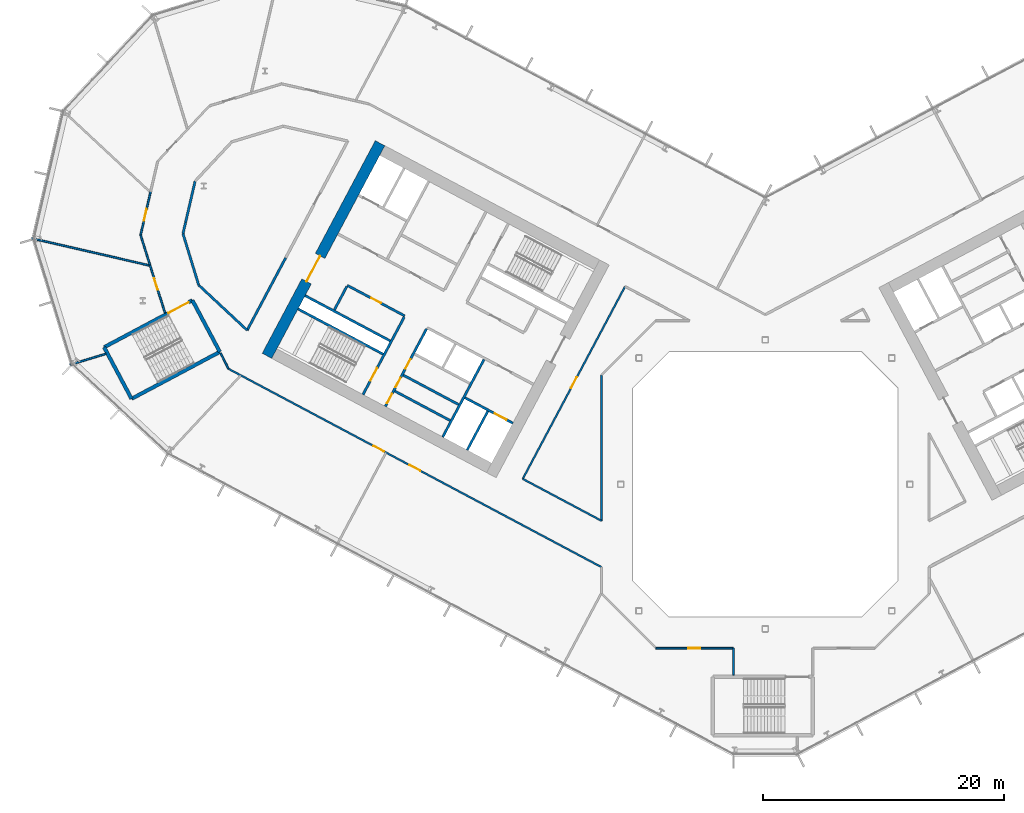
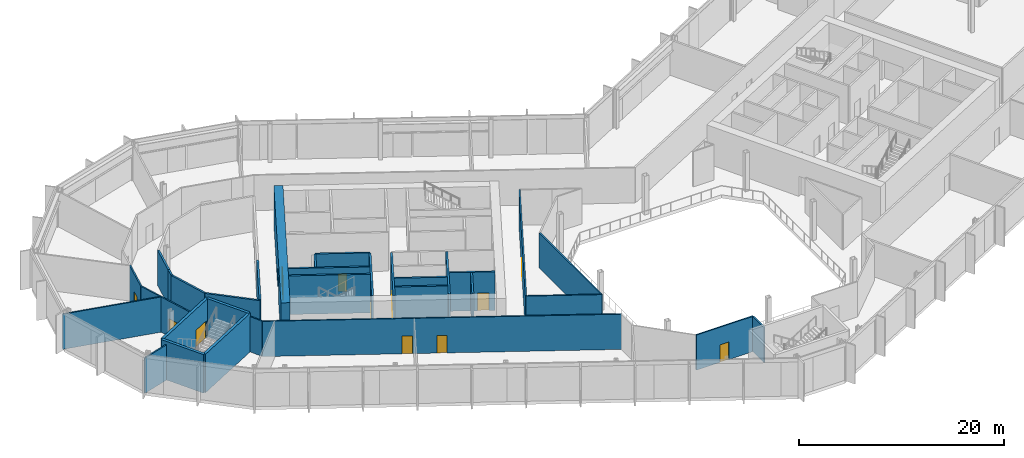
# One storey, part 14 of 30: 33 walls, 14 doors, 14 openings.
"""IFC4 building model written with IfcOpenShell, lengths in metres."""

from ifc_helpers import new_model, si_unit, direction, frame, frame_2d, origin, place, context, subcontext, project, spatial, rectangle, extrude, material, layer, layer_set, type_object, element, fill, save


model = new_model("IFC4")

# Units and contexts
model_context = context("Model", 3, precision=1e-05, world=origin(), true_north=direction((0.0, 1.0)))
body_context = subcontext(model_context, "Body", "Model", "MODEL_VIEW")
ifc_project = project(units=[si_unit("LENGTHUNIT", "METRE"), si_unit("AREAUNIT", "SQUARE_METRE"), si_unit("VOLUMEUNIT", "CUBIC_METRE"), si_unit("PLANEANGLEUNIT", "RADIAN"), si_unit("MASSUNIT", "GRAM", prefix="KILO")], contexts=[model_context])

# Site, building, storey
site_placement = place(None, origin())
site = spatial("IfcSite", under=ifc_project, at=site_placement, CompositionType="ELEMENT")
building_placement = place(site_placement, origin())
building = spatial("IfcBuilding", under=site, at=building_placement, Name="Cormorant Relay Tower", CompositionType="ELEMENT")
storey_placement = place(building_placement, frame((0.0, 0.0, 80.0)))
storey = spatial("IfcBuildingStorey", under=building, at=storey_placement, Name="L15", CompositionType="ELEMENT", Elevation=80.0)

# Walls
ifc_material_1 = material(Name="Concrete 40 MPa", Category="concrete")
ifc_layer_1 = layer(ifc_material_1, 0.199951171875)
ifc_layer_set_1 = layer_set([ifc_layer_1], Name="Core internal wall 200")
wall_type_1 = type_object("IfcWallType", Name="Core internal wall 200", PredefinedType="SOLIDWALL", material=ifc_layer_set_1)
for number, where, z_axis, x_axis, name in (
    (1, (-25.46728515625, 6.632568359375, 0.0), (0.0, 0.0, 1.0), (-0.882953967957, 0.469459572775, 0.0), "L15 core A shaft and room wall"),
    (2, (-26.17138671875, 5.30810546875, 0.0), (0.0, 0.0, 1.0), (-0.882953967957, 0.469459572775, 0.0), "L15 core A shaft and room wall"),
):
    element("IfcWall", number, at=place(storey_placement, frame(where, z_axis=z_axis, x_axis=x_axis)), inside=storey, type_object=wall_type_1, Name=name, PredefinedType="SOLIDWALL", context=body_context, shape_type="SweptSolid", body=[
        extrude(rectangle(XDim=5.199951171875, YDim=0.199951171875, at=frame_2d((2.60009765625, 0.0))), origin(), (0.0, 0.0, 1.0), 4.60009765625),
    ])
ifc_material_2 = material(Name="Concrete 50 MPa", Category="concrete")
ifc_layer_2 = layer(ifc_material_2, 0.199951171875)
ifc_layer_set_2 = layer_set([ifc_layer_2], Name="Core shaft wall 200")
wall_type_2 = type_object("IfcWallType", Name="Core shaft wall 200", PredefinedType="SHEAR", material=ifc_layer_set_2)
wall_1_placement = place(storey_placement, frame((-23.04296875, 6.07958984375, 0.0), z_axis=(0.0, 0.0, 1.0), x_axis=(-0.469494272526, -0.882935517501, 0.0)))
element("IfcWall", 3, at=wall_1_placement, inside=storey, type_object=wall_type_2, Name="L15 core A shaft wall", PredefinedType="SHEAR", context=body_context, shape_type="SweptSolid", body=[
    extrude(rectangle(XDim=3.64990234375, YDim=0.199951171875, at=frame_2d((1.824951171875, 0.0))), origin(), (0.0, 0.0, 1.0), 4.60009765625),
])
wall_2_placement = place(storey_placement, frame((-23.360107421875, 10.38232421875, 0.0), z_axis=(0.0, 0.0, 1.0), x_axis=(-0.469480409012, -0.88294288918, 0.0)))
element("IfcWall", 4, at=wall_2_placement, inside=storey, type_object=wall_type_2, Name="L15 core A shaft wall", PredefinedType="SHEAR", context=body_context, shape_type="SweptSolid", body=[
    extrude(rectangle(XDim=7.300048828125, YDim=0.199951171875, at=frame_2d((3.64990234375, 0.0))), origin(), (0.0, 0.0, 1.0), 4.60009765625),
])

# Wall, openings, doors
wall_3_placement = place(storey_placement, frame((-28.128173828125, 12.91748046875, 0.0), z_axis=(0.0, 0.0, 1.0), x_axis=(-0.469454336211, -0.882956752176, 0.0)))
wall_3 = element("IfcWall", 5, at=wall_3_placement, inside=storey, type_object=wall_type_2, Name="L15 core A shaft wall", PredefinedType="SHEAR", context=body_context, shape_type="SweptSolid", body=[
    extrude(rectangle(XDim=7.300048828125, YDim=0.199951171875, at=frame_2d((3.64990234375, 0.0))), origin(), (0.0, 0.0, 1.0), 4.60009765625),
])
opening_1_placement = place(wall_3_placement, frame((2.85009765625, 0.0, 0.0)))
opening_1 = element("IfcOpeningElement", 6, at=opening_1_placement, cuts=wall_3, Name="Opening CDD-129", PredefinedType="OPENING", context=body_context, shape_type="SweptSolid", body=[
    extrude(rectangle(XDim=0.89990234375, YDim=2.10009765625, at=frame_2d((0.449951171875, 1.050048828125))), frame((0.0, 0.10986328125, 0.0), z_axis=(0.0, -1.0, 0.0), x_axis=(1.0, 0.0, 0.0)), (0.0, 0.0, 1.0), 0.219970703125),
])
opening_2_placement = place(wall_3_placement, frame((4.60009765625, 0.0, 0.0)))
opening_2 = element("IfcOpeningElement", 7, at=opening_2_placement, cuts=wall_3, Name="Opening CDD-130", PredefinedType="OPENING", context=body_context, shape_type="SweptSolid", body=[
    extrude(rectangle(XDim=0.89990234375, YDim=2.10009765625, at=frame_2d((0.449951171875, 1.050048828125))), frame((0.0, 0.10986328125, 0.0), z_axis=(0.0, -1.0, 0.0), x_axis=(1.0, 0.0, 0.0)), (0.0, 0.0, 1.0), 0.219970703125),
])
opening_3_placement = place(wall_3_placement, frame((6.10009765625, 0.0, 0.0)))
opening_3 = element("IfcOpeningElement", 8, at=opening_3_placement, cuts=wall_3, Name="Opening CDD-131", PredefinedType="OPENING", context=body_context, shape_type="SweptSolid", body=[
    extrude(rectangle(XDim=0.89990234375, YDim=2.10009765625, at=frame_2d((0.449951171875, 1.050048828125))), frame((0.0, 0.10986328125, 0.0), z_axis=(0.0, -1.0, 0.0), x_axis=(1.0, 0.0, 0.0)), (0.0, 0.0, 1.0), 0.219970703125),
])
ifc_material_3 = material(Name="Steel fire door", Category="steel")
door_type_1 = type_object("IfcDoorType", Name="Core room door 900x2100", OperationType="SINGLE_SWING_LEFT", PredefinedType="DOOR", material=ifc_material_3)
door_1_placement = place(opening_1_placement, origin())
door_1 = element("IfcDoor", 9, at=door_1_placement, inside=storey, type_object=door_type_1, Name="Core room door 900x2100", OperationType="SINGLE_SWING_LEFT", OverallHeight=2.10009765625, OverallWidth=0.89990234375, PredefinedType="DOOR", context=body_context, shape_type="SweptSolid", body=[
    extrude(rectangle(XDim=0.89990234375, YDim=2.10009765625, at=frame_2d((0.449951171875, 1.050048828125))), frame((0.0, 0.02490234375, 0.0), z_axis=(0.0, -1.0, 0.0), x_axis=(1.0, 0.0, 0.0)), (0.0, 0.0, 1.0), 0.050048828125),
])
fill(opening_1, door_1)
door_2_placement = place(opening_2_placement, origin())
door_2 = element("IfcDoor", 10, at=door_2_placement, inside=storey, type_object=door_type_1, Name="Core room door 900x2100", OperationType="SINGLE_SWING_LEFT", OverallHeight=2.10009765625, OverallWidth=0.89990234375, PredefinedType="DOOR", context=body_context, shape_type="SweptSolid", body=[
    extrude(rectangle(XDim=0.89990234375, YDim=2.10009765625, at=frame_2d((0.449951171875, 1.050048828125))), frame((0.0, 0.02490234375, 0.0), z_axis=(0.0, -1.0, 0.0), x_axis=(1.0, 0.0, 0.0)), (0.0, 0.0, 1.0), 0.050048828125),
])
fill(opening_2, door_2)
door_3_placement = place(opening_3_placement, origin())
door_3 = element("IfcDoor", 11, at=door_3_placement, inside=storey, type_object=door_type_1, Name="Core room door 900x2100", OperationType="SINGLE_SWING_LEFT", OverallHeight=2.10009765625, OverallWidth=0.89990234375, PredefinedType="DOOR", context=body_context, shape_type="SweptSolid", body=[
    extrude(rectangle(XDim=0.89990234375, YDim=2.10009765625, at=frame_2d((0.449951171875, 1.050048828125))), frame((0.0, 0.02490234375, 0.0), z_axis=(0.0, -1.0, 0.0), x_axis=(1.0, 0.0, 0.0)), (0.0, 0.0, 1.0), 0.050048828125),
])
fill(opening_3, door_3)

# Wall, opening, door
wall_4_placement = place(storey_placement, frame((-29.982421875, 13.9033203125, 0.0), z_axis=(0.0, 0.0, 1.0), x_axis=(-0.469454336211, -0.882956752176, 0.0)))
wall_4 = element("IfcWall", 12, at=wall_4_placement, inside=storey, type_object=wall_type_2, Name="L15 core A shaft wall", PredefinedType="SHEAR", context=body_context, shape_type="SweptSolid", body=[
    extrude(rectangle(XDim=7.300048828125, YDim=0.199951171875, at=frame_2d((3.64990234375, 0.0))), origin(), (0.0, 0.0, 1.0), 4.60009765625),
])
opening_4_placement = place(wall_4_placement, frame((4.800048828125, 0.0, 0.0)))
opening_4 = element("IfcOpeningElement", 13, at=opening_4_placement, cuts=wall_4, Name="Opening CDB-025", PredefinedType="OPENING", context=body_context, shape_type="SweptSolid", body=[
    extrude(rectangle(XDim=1.199951171875, YDim=2.10009765625, at=frame_2d((0.60009765625, 1.050048828125))), frame((0.0, 0.10986328125, 0.0), z_axis=(0.0, -1.0, 0.0), x_axis=(1.0, 0.0, 0.0)), (0.0, 0.0, 1.0), 0.219970703125),
])
ifc_material_4 = material(Name="Steel fire door", Category="steel")
door_type_2 = type_object("IfcDoorType", Name="Core stair door 1200x2100", OperationType="SINGLE_SWING_LEFT", PredefinedType="DOOR", material=ifc_material_4)
door_4_placement = place(opening_4_placement, frame((1.199951171875, 0.0, 0.0), z_axis=(0.0, 0.0, 1.0), x_axis=(-1.0, 0.0, 0.0)))
door_4 = element("IfcDoor", 14, at=door_4_placement, inside=storey, type_object=door_type_2, Name="Core stair door 1200x2100", OperationType="SINGLE_SWING_RIGHT", OverallHeight=2.10009765625, OverallWidth=1.199951171875, PredefinedType="DOOR", context=body_context, shape_type="SweptSolid", body=[
    extrude(rectangle(XDim=1.199951171875, YDim=2.10009765625, at=frame_2d((0.60009765625, 1.050048828125))), frame((0.0, 0.02490234375, 0.0), z_axis=(0.0, -1.0, 0.0), x_axis=(1.0, 0.0, 0.0)), (0.0, 0.0, 1.0), 0.050048828125),
])
fill(opening_4, door_4)

# Wall
wall_5_placement = place(storey_placement, frame((-34.750244140625, 16.4384765625, 0.0), z_axis=(0.0, 0.0, 1.0), x_axis=(-0.469401318492, -0.882984938828, 0.0)))
element("IfcWall", 15, at=wall_5_placement, inside=storey, type_object=wall_type_2, Name="L15 core A shaft wall", PredefinedType="SHEAR", context=body_context, shape_type="SweptSolid", body=[
    extrude(rectangle(XDim=2.199951171875, YDim=0.199951171875, at=frame_2d((1.10009765625, 0.0))), origin(), (0.0, 0.0, 1.0), 4.60009765625),
])

# Wall, opening, door
wall_6_placement = place(storey_placement, frame((-29.935302734375, 13.991455078125, 0.0), z_axis=(0.0, 0.0, 1.0), x_axis=(-0.882952937579, 0.469461510692, 0.0)))
wall_6 = element("IfcWall", 16, at=wall_6_placement, inside=storey, type_object=wall_type_2, Name="L15 core A shaft wall", PredefinedType="SHEAR", context=body_context, shape_type="SweptSolid", body=[
    extrude(rectangle(XDim=5.400146484375, YDim=0.199951171875, at=frame_2d((2.7001953125, 0.0))), origin(), (0.0, 0.0, 1.0), 4.60009765625),
])
opening_5_placement = place(wall_6_placement, frame((2.25, 0.0, 0.0)))
opening_5 = element("IfcOpeningElement", 17, at=opening_5_placement, cuts=wall_6, Name="Opening CDD-126", PredefinedType="OPENING", context=body_context, shape_type="SweptSolid", body=[
    extrude(rectangle(XDim=0.89990234375, YDim=2.10009765625, at=frame_2d((0.449951171875, 1.050048828125))), frame((0.0, 0.10986328125, 0.0), z_axis=(0.0, -1.0, 0.0), x_axis=(1.0, 0.0, 0.0)), (0.0, 0.0, 1.0), 0.219970703125),
])
door_5_placement = place(opening_5_placement, origin())
door_5 = element("IfcDoor", 18, at=door_5_placement, inside=storey, type_object=door_type_1, Name="Core room door 900x2100", OperationType="SINGLE_SWING_LEFT", OverallHeight=2.10009765625, OverallWidth=0.89990234375, PredefinedType="DOOR", context=body_context, shape_type="SweptSolid", body=[
    extrude(rectangle(XDim=0.89990234375, YDim=2.10009765625, at=frame_2d((0.449951171875, 1.050048828125))), frame((0.0, 0.02490234375, 0.0), z_axis=(0.0, -1.0, 0.0), x_axis=(1.0, 0.0, 0.0)), (0.0, 0.0, 1.0), 0.050048828125),
])
fill(opening_5, door_5)

# Wall
wall_7_placement = place(storey_placement, frame((-31.150390625, 11.91943359375, 0.0), z_axis=(0.0, 0.0, 1.0), x_axis=(-0.882940221191, 0.469485426614, 0.0)))
element("IfcWall", 19, at=wall_7_placement, inside=storey, type_object=wall_type_2, Name="L15 core A shaft wall", PredefinedType="SHEAR", context=body_context, shape_type="SweptSolid", body=[
    extrude(rectangle(XDim=8.0, YDim=0.199951171875, at=frame_2d((4.0, 0.0))), origin(), (0.0, 0.0, 1.0), 4.60009765625),
])

# Wall, opening, door
wall_8_placement = place(storey_placement, frame((-20.96533203125, 5.088134765625, 0.0), z_axis=(0.0, 0.0, 1.0), x_axis=(-0.882925986334, 0.469512196493, 0.0)))
wall_8 = element("IfcWall", 20, at=wall_8_placement, inside=storey, type_object=wall_type_2, Name="L15 core A shaft wall", PredefinedType="SHEAR", context=body_context, shape_type="SweptSolid", body=[
    extrude(rectangle(XDim=4.5, YDim=0.199951171875, at=frame_2d((2.25, 0.0))), origin(), (0.0, 0.0, 1.0), 4.60009765625),
])
opening_6_placement = place(wall_8_placement, frame((0.60009765625, 0.0, 0.0)))
opening_6 = element("IfcOpeningElement", 21, at=opening_6_placement, cuts=wall_8, Name="Opening LD1-027", PredefinedType="OPENING", context=body_context, shape_type="SweptSolid", body=[
    extrude(rectangle(XDim=1.10009765625, YDim=2.10009765625, at=frame_2d((0.550048828125, 1.050048828125))), frame((0.0, 0.10986328125, 0.0), z_axis=(0.0, -1.0, 0.0), x_axis=(1.0, 0.0, 0.0)), (0.0, 0.0, 1.0), 0.219970703125),
])
ifc_material_5 = material(Name="Stainless steel 316", Category="steel")
door_type_3 = type_object("IfcDoorType", Name="Lift landing door 1100x2100", OperationType="DOUBLE_DOOR_SLIDING", PredefinedType="DOOR", material=ifc_material_5)
door_6_placement = place(opening_6_placement, origin())
door_6 = element("IfcDoor", 22, at=door_6_placement, inside=storey, type_object=door_type_3, Name="FF1 landing door", OperationType="DOUBLE_DOOR_SLIDING", OverallHeight=2.10009765625, OverallWidth=1.10009765625, PredefinedType="DOOR", context=body_context, shape_type="SweptSolid", body=[
    extrude(rectangle(XDim=1.10009765625, YDim=2.10009765625, at=frame_2d((0.550048828125, 1.050048828125))), frame((0.0, 0.02490234375, 0.0), z_axis=(0.0, -1.0, 0.0), x_axis=(1.0, 0.0, 0.0)), (0.0, 0.0, 1.0), 0.050048828125),
])
fill(opening_6, door_6)

# Wall
wall_9_placement = place(storey_placement, frame((-31.7373046875, 10.815673828125, 0.0), z_axis=(0.0, 0.0, 1.0), x_axis=(-0.882940221191, 0.469485426614, 0.0)))
element("IfcWall", 23, at=wall_9_placement, inside=storey, type_object=wall_type_2, Name="L15 core A shaft wall", PredefinedType="SHEAR", context=body_context, shape_type="SweptSolid", body=[
    extrude(rectangle(XDim=8.0, YDim=0.199951171875, at=frame_2d((4.0, 0.0))), origin(), (0.0, 0.0, 1.0), 4.60009765625),
])

# Wall, opening, door
ifc_material_6 = material(Name="Concrete 70 MPa", Category="concrete")
ifc_layer_3 = layer(ifc_material_6, 0.89990234375)
ifc_layer_set_3 = layer_set([ifc_layer_3], Name="Core wall 900")
wall_type_3 = type_object("IfcWallType", Name="Core wall 900", PredefinedType="SHEAR", material=ifc_layer_set_3)
wall_10_placement = place(storey_placement, frame((-31.99169921875, 28.3359375, 0.0), z_axis=(0.0, 0.0, 1.0), x_axis=(-0.46947084998, -0.882947971864, 0.0)))
wall_10 = element("IfcWall", 24, at=wall_10_placement, inside=storey, type_object=wall_type_3, Name="L15 core A wall", PredefinedType="SHEAR", context=body_context, shape_type="SweptSolid", body=[
    extrude(rectangle(XDim=20.0, YDim=0.89990234375, at=frame_2d((10.0, 0.0))), origin(), (0.0, 0.0, 1.0), 4.60009765625),
])
opening_7_placement = place(wall_10_placement, frame((10.60009765625, 0.0, 0.0)))
opening_7 = element("IfcOpeningElement", 25, at=opening_7_placement, cuts=wall_10, Name="Opening CDA-018", PredefinedType="OPENING", context=body_context, shape_type="SweptSolid", body=[
    extrude(rectangle(XDim=2.39990234375, YDim=2.39990234375, at=frame_2d((1.199951171875, 1.199951171875))), frame((0.0, 0.4599609375, 0.0), z_axis=(0.0, -1.0, 0.0), x_axis=(1.0, 0.0, 0.0)), (0.0, 0.0, 1.0), 0.919921875),
])
ifc_material_7 = material(Name="Steel fire door", Category="steel")
door_type_4 = type_object("IfcDoorType", Name="Core lobby door 2400x2400", OperationType="DOUBLE_DOOR_SINGLE_SWING", PredefinedType="DOOR", material=ifc_material_7)
door_7_placement = place(opening_7_placement, origin())
door_7 = element("IfcDoor", 26, at=door_7_placement, inside=storey, type_object=door_type_4, Name="Core lobby door 2400x2400", OperationType="DOUBLE_DOOR_SINGLE_SWING", OverallHeight=2.39990234375, OverallWidth=2.39990234375, PredefinedType="DOOR", context=body_context, shape_type="SweptSolid", body=[
    extrude(rectangle(XDim=2.39990234375, YDim=2.39990234375, at=frame_2d((1.199951171875, 1.199951171875))), frame((0.0, 0.02490234375, 0.0), z_axis=(0.0, -1.0, 0.0), x_axis=(1.0, 0.0, 0.0)), (0.0, 0.0, 1.0), 0.050048828125),
])
fill(opening_7, door_7)

# Walls
ifc_material_8 = material(Name="Fire-rated gypsum board partition")
ifc_layer_4 = layer(ifc_material_8, 0.199951171875)
ifc_layer_set_4 = layer_set([ifc_layer_4], Name="Fire-rated gypsum partition 200")
wall_type_4 = type_object("IfcWallType", Name="Fire-rated gypsum partition 200", PredefinedType="PARTITIONING", material=ifc_layer_set_4)
wall_11_placement = place(storey_placement, frame((-48.137939453125, 21.76806640625, 0.0), z_axis=(0.0, 0.0, 1.0), x_axis=(0.224910471472, 0.974379433189, 0.0)))
element("IfcWall", 27, at=wall_11_placement, inside=storey, type_object=wall_type_4, Name="wall/L15/part/12", PredefinedType="PARTITIONING", context=body_context, shape_type="SweptSolid", body=[
    extrude(rectangle(XDim=3.49853515625, YDim=0.199951171875, at=frame_2d((1.749267578125, 0.0))), origin(), (0.0, 0.0, 1.0), 4.199951171875),
])
wall_12_placement = place(storey_placement, frame((-43.02587890625, 12.802001953125, 0.0), z_axis=(0.0, 0.0, 1.0), x_axis=(-0.731412266015, 0.68193555203, 0.0)))
element("IfcWall", 28, at=wall_12_placement, inside=storey, type_object=wall_type_4, Name="wall/L15/part/14", PredefinedType="PARTITIONING", context=body_context, shape_type="SweptSolid", body=[
    extrude(rectangle(XDim=5.501953125, YDim=0.199951171875, at=frame_2d((2.7509765625, 0.0))), origin(), (0.0, 0.0, 1.0), 4.199951171875),
])
wall_13_placement = place(storey_placement, frame((-47.050048828125, 16.553955078125, 0.0), z_axis=(0.0, 0.0, 1.0), x_axis=(-0.292399072869, 0.956296388253, 0.0)))
element("IfcWall", 29, at=wall_13_placement, inside=storey, type_object=wall_type_4, Name="wall/L15/part/15", PredefinedType="PARTITIONING", context=body_context, shape_type="SweptSolid", body=[
    extrude(rectangle(XDim=4.466064453125, YDim=0.199951171875, at=frame_2d((2.23291015625, 0.0))), origin(), (0.0, 0.0, 1.0), 4.199951171875),
])
wall_14_placement = place(storey_placement, frame((-48.35595703125, 20.824951171875, 0.0), z_axis=(0.0, 0.0, 1.0), x_axis=(0.225227894395, 0.974306109796, 0.0)))
element("IfcWall", 30, at=wall_14_placement, inside=storey, type_object=wall_type_4, Name="wall/L15/part/16", PredefinedType="PARTITIONING", context=body_context, shape_type="SweptSolid", body=[
    extrude(rectangle(XDim=0.968017578125, YDim=0.199951171875, at=frame_2d((0.48388671875, 0.0))), origin(), (0.0, 0.0, 1.0), 4.199951171875),
])
wall_15_placement = place(storey_placement, frame((-39.825927734375, 18.820068359375, 0.0), z_axis=(0.0, 0.0, 1.0), x_axis=(-0.469481685648, -0.882942210363, 0.0)))
element("IfcWall", 31, at=wall_15_placement, inside=storey, type_object=wall_type_4, Name="wall/L15/part/27", PredefinedType="PARTITIONING", context=body_context, shape_type="SweptSolid", body=[
    extrude(rectangle(XDim=6.81591796875, YDim=0.199951171875, at=frame_2d((3.407958984375, 0.0))), origin(), (0.0, 0.0, 1.0), 4.199951171875),
])
ifc_material_9 = material(Name="Gypsum board partition")
ifc_layer_5 = layer(ifc_material_9, 0.14990234375)
ifc_layer_set_5 = layer_set([ifc_layer_5], Name="Gypsum board partition 150")
wall_type_5 = type_object("IfcWallType", Name="Gypsum board partition 150", PredefinedType="PARTITIONING", material=ifc_layer_set_5)
wall_16_placement = place(storey_placement, frame((-51.080078125, 18.16796875, 0.0), z_axis=(0.0, 0.0, 1.0), x_axis=(-0.974375306075, 0.224928350615, 0.0)))
element("IfcWall", 32, at=wall_16_placement, inside=storey, type_object=wall_type_5, Name="wall/L15/part/1", PredefinedType="PARTITIONING", context=body_context, shape_type="SweptSolid", body=[
    extrude(rectangle(XDim=10.100830078125, YDim=0.14990234375, at=frame_2d((5.05029296875, 0.0))), origin(), (0.0, 0.0, 1.0), 4.199951171875),
])
wall_17_placement = place(storey_placement, frame((-54.7607421875, 10.847900390625, 0.0), z_axis=(0.0, 0.0, 1.0), x_axis=(-0.956301064033, -0.29238378021, 0.0)))
element("IfcWall", 33, at=wall_17_placement, inside=storey, type_object=wall_type_5, Name="wall/L15/part/3", PredefinedType="PARTITIONING", context=body_context, shape_type="SweptSolid", body=[
    extrude(rectangle(XDim=3.115478515625, YDim=0.14990234375, at=frame_2d((1.5576171875, 0.0))), origin(), (0.0, 0.0, 1.0), 4.199951171875),
])

# Wall, opening, door
wall_18_placement = place(storey_placement, frame((-51.041015625, 24.31103515625, 0.0), z_axis=(0.0, 0.0, 1.0), x_axis=(-0.224893203367, -0.974383418927, 0.0)))
wall_18 = element("IfcWall", 34, at=wall_18_placement, inside=storey, type_object=wall_type_5, Name="wall/L15/part/4", PredefinedType="PARTITIONING", context=body_context, shape_type="SweptSolid", body=[
    extrude(rectangle(XDim=3.7041015625, YDim=0.14990234375, at=frame_2d((1.85205078125, 0.0))), origin(), (0.0, 0.0, 1.0), 4.199951171875),
])
opening_8_placement = place(wall_18_placement, frame((1.48193359375, 0.0, 0.0)))
opening_8 = element("IfcOpeningElement", 35, at=opening_8_placement, cuts=wall_18, Name="Opening D1-037", PredefinedType="OPENING", context=body_context, shape_type="SweptSolid", body=[
    extrude(rectangle(XDim=1.0, YDim=2.10009765625, at=frame_2d((0.5, 1.050048828125))), frame((0.0, 0.0849609375, 0.0), z_axis=(0.0, -1.0, 0.0), x_axis=(1.0, 0.0, 0.0)), (0.0, 0.0, 1.0), 0.169921875),
])
ifc_material_10 = material(Name="Painted steel door", Category="steel")
door_type_5 = type_object("IfcDoorType", Name="Single door 1000 x 2100", OperationType="SINGLE_SWING_LEFT", PredefinedType="DOOR", material=ifc_material_10)
door_8_placement = place(opening_8_placement, frame((1.0, 0.0, 0.0), z_axis=(0.0, 0.0, 1.0), x_axis=(-1.0, 0.0, 0.0)))
door_8 = element("IfcDoor", 36, at=door_8_placement, inside=storey, type_object=door_type_5, Name="door/L15/16", OperationType="SINGLE_SWING_RIGHT", OverallHeight=2.10009765625, OverallWidth=1.0, PredefinedType="DOOR", context=body_context, shape_type="SweptSolid", body=[
    extrude(rectangle(XDim=1.0, YDim=2.10009765625, at=frame_2d((0.5, 1.050048828125))), frame((0.0, 0.02490234375, 0.0), z_axis=(0.0, -1.0, 0.0), x_axis=(1.0, 0.0, 0.0)), (0.0, 0.0, 1.0), 0.050048828125),
])
fill(opening_8, door_8)

# Wall
wall_19_placement = place(storey_placement, frame((-51.8740234375, 20.701904296875, 0.0), z_axis=(0.0, 0.0, 1.0), x_axis=(0.299019355328, -0.954247046178, 0.0)))
element("IfcWall", 37, at=wall_19_placement, inside=storey, type_object=wall_type_5, Name="wall/L15/part/5", PredefinedType="PARTITIONING", context=body_context, shape_type="SweptSolid", body=[
    extrude(rectangle(XDim=2.595458984375, YDim=0.14990234375, at=frame_2d((1.2978515625, 0.0))), origin(), (0.0, 0.0, 1.0), 4.199951171875),
])

# Wall, opening, door
wall_20_placement = place(storey_placement, frame((-49.847412109375, 14.233642578125, 0.0), z_axis=(0.0, 0.0, 1.0), x_axis=(-0.29896287329, 0.954264743346, 0.0)))
wall_20 = element("IfcWall", 38, at=wall_20_placement, inside=storey, type_object=wall_type_5, Name="wall/L15/part/6", PredefinedType="PARTITIONING", context=body_context, shape_type="SweptSolid", body=[
    extrude(rectangle(XDim=4.182861328125, YDim=0.14990234375, at=frame_2d((2.09130859375, 0.0))), origin(), (0.0, 0.0, 1.0), 4.199951171875),
])
opening_9_placement = place(wall_20_placement, frame((2.014892578125, 0.0, 0.0)))
opening_9 = element("IfcOpeningElement", 39, at=opening_9_placement, cuts=wall_20, Name="Opening D1-038", PredefinedType="OPENING", context=body_context, shape_type="SweptSolid", body=[
    extrude(rectangle(XDim=1.0, YDim=2.10009765625, at=frame_2d((0.5, 1.050048828125))), frame((0.0, 0.0849609375, 0.0), z_axis=(0.0, -1.0, 0.0), x_axis=(1.0, 0.0, 0.0)), (0.0, 0.0, 1.0), 0.169921875),
])
door_9_placement = place(opening_9_placement, origin())
door_9 = element("IfcDoor", 40, at=door_9_placement, inside=storey, type_object=door_type_5, Name="door/L15/17", OperationType="SINGLE_SWING_RIGHT", OverallHeight=2.10009765625, OverallWidth=1.0, PredefinedType="DOOR", context=body_context, shape_type="SweptSolid", body=[
    extrude(rectangle(XDim=1.0, YDim=2.10009765625, at=frame_2d((0.5, 1.050048828125))), frame((0.0, 0.02490234375, 0.0), z_axis=(0.0, -1.0, 0.0), x_axis=(1.0, 0.0, 0.0)), (0.0, 0.0, 1.0), 0.050048828125),
])
fill(opening_9, door_9)

# Wall
wall_21_placement = place(storey_placement, frame((-2.64892578125, -15.840087890625, 0.0), z_axis=(0.0, 0.0, 1.0), x_axis=(0.0, 1.0, 0.0)))
element("IfcWall", 41, at=wall_21_placement, inside=storey, type_object=wall_type_5, Name="wall/L15/part/21", PredefinedType="PARTITIONING", context=body_context, shape_type="SweptSolid", body=[
    extrude(rectangle(XDim=2.239990234375, YDim=0.14990234375, at=frame_2d((1.1201171875, 0.0))), origin(), (0.0, 0.0, 1.0), 4.199951171875),
])

# Wall, opening, door
wall_22_placement = place(storey_placement, frame((-2.64892578125, -13.60009765625, 0.0), z_axis=(0.0, 0.0, 1.0), x_axis=(-1.0, 0.0, 0.0)))
wall_22 = element("IfcWall", 42, at=wall_22_placement, inside=storey, type_object=wall_type_5, Name="wall/L15/part/22", PredefinedType="PARTITIONING", context=body_context, shape_type="SweptSolid", body=[
    extrude(rectangle(XDim=6.427978515625, YDim=0.14990234375, at=frame_2d((3.2138671875, 0.0))), origin(), (0.0, 0.0, 1.0), 4.199951171875),
])
opening_10_placement = place(wall_22_placement, frame((2.75, 0.0, 0.0)))
opening_10 = element("IfcOpeningElement", 43, at=opening_10_placement, cuts=wall_22, Name="Opening D1-042", PredefinedType="OPENING", context=body_context, shape_type="SweptSolid", body=[
    extrude(rectangle(XDim=1.0, YDim=2.10009765625, at=frame_2d((0.5, 1.050048828125))), frame((0.0, 0.0849609375, 0.0), z_axis=(0.0, -1.0, 0.0), x_axis=(1.0, 0.0, 0.0)), (0.0, 0.0, 1.0), 0.169921875),
])
door_10_placement = place(opening_10_placement, origin())
door_10 = element("IfcDoor", 44, at=door_10_placement, inside=storey, type_object=door_type_5, Name="door/L15/20", OperationType="SINGLE_SWING_LEFT", OverallHeight=2.10009765625, OverallWidth=1.0, PredefinedType="DOOR", context=body_context, shape_type="SweptSolid", body=[
    extrude(rectangle(XDim=1.0, YDim=2.10009765625, at=frame_2d((0.5, 1.050048828125))), frame((0.0, 0.02490234375, 0.0), z_axis=(0.0, -1.0, 0.0), x_axis=(1.0, 0.0, 0.0)), (0.0, 0.0, 1.0), 0.050048828125),
])
fill(opening_10, door_10)

# Wall, openings, doors
wall_23_placement = place(storey_placement, frame((-13.60009765625, -6.868896484375, 0.0), z_axis=(0.0, 0.0, 1.0), x_axis=(-0.88295406426, 0.469459391648, 0.0)))
wall_23 = element("IfcWall", 45, at=wall_23_placement, inside=storey, type_object=wall_type_5, Name="wall/L15/part/25", PredefinedType="PARTITIONING", context=body_context, shape_type="SweptSolid", body=[
    extrude(rectangle(XDim=35.091064453125, YDim=0.14990234375, at=frame_2d((17.54541015625, 0.0))), origin(), (0.0, 0.0, 1.0), 4.199951171875),
])
opening_11_placement = place(wall_23_placement, frame((20.449951171875, 0.0, 0.0)))
opening_11 = element("IfcOpeningElement", 46, at=opening_11_placement, cuts=wall_23, Name="Opening D1-039", PredefinedType="OPENING", context=body_context, shape_type="SweptSolid", body=[
    extrude(rectangle(XDim=1.0, YDim=2.10009765625, at=frame_2d((0.5, 1.050048828125))), frame((0.0, 0.0849609375, 0.0), z_axis=(0.0, -1.0, 0.0), x_axis=(1.0, 0.0, 0.0)), (0.0, 0.0, 1.0), 0.169921875),
])
opening_12_placement = place(wall_23_placement, frame((17.050048828125, 0.0, 0.0)))
opening_12 = element("IfcOpeningElement", 47, at=opening_12_placement, cuts=wall_23, Name="Opening D1-040", PredefinedType="OPENING", context=body_context, shape_type="SweptSolid", body=[
    extrude(rectangle(XDim=1.0, YDim=2.10009765625, at=frame_2d((0.5, 1.050048828125))), frame((0.0, 0.0849609375, 0.0), z_axis=(0.0, -1.0, 0.0), x_axis=(1.0, 0.0, 0.0)), (0.0, 0.0, 1.0), 0.169921875),
])
door_11_placement = place(opening_11_placement, origin())
door_11 = element("IfcDoor", 48, at=door_11_placement, inside=storey, type_object=door_type_5, Name="door/L15/18", OperationType="SINGLE_SWING_LEFT", OverallHeight=2.10009765625, OverallWidth=1.0, PredefinedType="DOOR", context=body_context, shape_type="SweptSolid", body=[
    extrude(rectangle(XDim=1.0, YDim=2.10009765625, at=frame_2d((0.5, 1.050048828125))), frame((0.0, 0.02490234375, 0.0), z_axis=(0.0, -1.0, 0.0), x_axis=(1.0, 0.0, 0.0)), (0.0, 0.0, 1.0), 0.050048828125),
])
fill(opening_11, door_11)
door_12_placement = place(opening_12_placement, origin())
door_12 = element("IfcDoor", 49, at=door_12_placement, inside=storey, type_object=door_type_5, Name="door/L15/19", OperationType="SINGLE_SWING_LEFT", OverallHeight=2.10009765625, OverallWidth=1.0, PredefinedType="DOOR", context=body_context, shape_type="SweptSolid", body=[
    extrude(rectangle(XDim=1.0, YDim=2.10009765625, at=frame_2d((0.5, 1.050048828125))), frame((0.0, 0.02490234375, 0.0), z_axis=(0.0, -1.0, 0.0), x_axis=(1.0, 0.0, 0.0)), (0.0, 0.0, 1.0), 0.050048828125),
])
fill(opening_12, door_12)

# Wall
wall_24_placement = place(storey_placement, frame((-44.583984375, 9.60498046875, 0.0), z_axis=(0.0, 0.0, 1.0), x_axis=(-0.445453249083, 0.895305200968, 0.0)))
element("IfcWall", 50, at=wall_24_placement, inside=storey, type_object=wall_type_5, Name="wall/L15/part/26", PredefinedType="PARTITIONING", context=body_context, shape_type="SweptSolid", body=[
    extrude(rectangle(XDim=1.443115234375, YDim=0.14990234375, at=frame_2d((0.7216796875, 0.0))), origin(), (0.0, 0.0, 1.0), 4.199951171875),
])

# Wall, opening, door
wall_25_placement = place(storey_placement, frame((-20.14208984375, 0.4599609375, 0.0), z_axis=(0.0, 0.0, 1.0), x_axis=(0.469506937019, 0.882928783136, 0.0)))
wall_25 = element("IfcWall", 51, at=wall_25_placement, inside=storey, type_object=wall_type_5, Name="wall/L15/part/40", PredefinedType="PARTITIONING", context=body_context, shape_type="SweptSolid", body=[
    extrude(rectangle(XDim=18.099853515625, YDim=0.14990234375, at=frame_2d((9.0498046875, 0.0))), origin(), (0.0, 0.0, 1.0), 4.199951171875),
])
opening_13_placement = place(wall_25_placement, frame((8.550048828125, 0.0, 0.0)))
opening_13 = element("IfcOpeningElement", 52, at=opening_13_placement, cuts=wall_25, Name="Opening D1-041", PredefinedType="OPENING", context=body_context, shape_type="SweptSolid", body=[
    extrude(rectangle(XDim=1.0, YDim=2.10009765625, at=frame_2d((0.5, 1.050048828125))), frame((0.0, 0.0849609375, 0.0), z_axis=(0.0, -1.0, 0.0), x_axis=(1.0, 0.0, 0.0)), (0.0, 0.0, 1.0), 0.169921875),
])
door_13_placement = place(opening_13_placement, frame((1.0, 0.0, 0.0), z_axis=(0.0, 0.0, 1.0), x_axis=(-1.0, 0.0, 0.0)))
door_13 = element("IfcDoor", 53, at=door_13_placement, inside=storey, type_object=door_type_5, Name="door/L15/2", OperationType="SINGLE_SWING_LEFT", OverallHeight=2.10009765625, OverallWidth=1.0, PredefinedType="DOOR", context=body_context, shape_type="SweptSolid", body=[
    extrude(rectangle(XDim=1.0, YDim=2.10009765625, at=frame_2d((0.5, 1.050048828125))), frame((0.0, 0.02490234375, 0.0), z_axis=(0.0, -1.0, 0.0), x_axis=(1.0, 0.0, 0.0)), (0.0, 0.0, 1.0), 0.050048828125),
])
fill(opening_13, door_13)

# Walls
wall_26_placement = place(storey_placement, frame((-13.60009765625, -3.01904296875, 0.0), z_axis=(0.0, 0.0, 1.0), x_axis=(-0.882915984826, 0.469531004022, 0.0)))
element("IfcWall", 54, at=wall_26_placement, inside=storey, type_object=wall_type_5, Name="wall/L15/part/42", PredefinedType="PARTITIONING", context=body_context, shape_type="SweptSolid", body=[
    extrude(rectangle(XDim=7.409423828125, YDim=0.14990234375, at=frame_2d((3.70458984375, 0.0))), origin(), (0.0, 0.0, 1.0), 4.199951171875),
])
wall_27_placement = place(storey_placement, frame((-13.60009765625, 9.076904296875, 0.0), z_axis=(0.0, 0.0, 1.0), x_axis=(0.0, -1.0, 0.0)))
element("IfcWall", 55, at=wall_27_placement, inside=storey, type_object=wall_type_5, Name="wall/L15/part/43", PredefinedType="PARTITIONING", context=body_context, shape_type="SweptSolid", body=[
    extrude(rectangle(XDim=12.095947265625, YDim=0.14990234375, at=frame_2d((6.0478515625, 0.0))), origin(), (0.0, 0.0, 1.0), 4.199951171875),
])
ifc_material_11 = material(Name="Concrete 50 MPa", Category="concrete")
ifc_layer_6 = layer(ifc_material_11, 0.300048828125)
ifc_layer_set_6 = layer_set([ifc_layer_6], Name="Remote stair wall 300")
wall_type_6 = type_object("IfcWallType", Name="Remote stair wall 300", PredefinedType="SHEAR", material=ifc_layer_set_6)
wall_28_placement = place(storey_placement, frame((-47.57421875, 15.28955078125, 0.0), z_axis=(0.0, 0.0, 1.0), x_axis=(0.469443498566, -0.882962514297, 0.0)))
element("IfcWall", 56, at=wall_28_placement, inside=storey, type_object=wall_type_6, Name="L15 exit stair RP1 wall", PredefinedType="SHEAR", context=body_context, shape_type="SweptSolid", body=[
    extrude(rectangle(XDim=4.85009765625, YDim=0.300048828125, at=frame_2d((2.425048828125, 0.0))), origin(), (0.0, 0.0, 1.0), 4.60009765625),
])
wall_29_placement = place(storey_placement, frame((-45.29736328125, 11.007080078125, 0.0), z_axis=(0.0, 0.0, 1.0), x_axis=(-0.882951519127, -0.469464178475, 0.0)))
element("IfcWall", 57, at=wall_29_placement, inside=storey, type_object=wall_type_6, Name="L15 exit stair RP1 wall", PredefinedType="SHEAR", context=body_context, shape_type="SweptSolid", body=[
    extrude(rectangle(XDim=8.2998046875, YDim=0.300048828125, at=frame_2d((4.14990234375, 0.0))), origin(), (0.0, 0.0, 1.0), 4.60009765625),
])
wall_30_placement = place(storey_placement, frame((-52.625732421875, 7.110595703125, 0.0), z_axis=(0.0, 0.0, 1.0), x_axis=(-0.469464364128, 0.882951420416, 0.0)))
element("IfcWall", 58, at=wall_30_placement, inside=storey, type_object=wall_type_6, Name="L15 exit stair RP1 wall", PredefinedType="SHEAR", context=body_context, shape_type="SweptSolid", body=[
    extrude(rectangle(XDim=4.849853515625, YDim=0.300048828125, at=frame_2d((2.4248046875, 0.0))), origin(), (0.0, 0.0, 1.0), 4.60009765625),
])

# Wall, opening, door
wall_31_placement = place(storey_placement, frame((-54.902587890625, 11.392822265625, 0.0), z_axis=(0.0, 0.0, 1.0), x_axis=(0.882939326045, 0.469487110071, 0.0)))
wall_31 = element("IfcWall", 59, at=wall_31_placement, inside=storey, type_object=wall_type_6, Name="L15 exit stair RP1 wall", PredefinedType="SHEAR", context=body_context, shape_type="SweptSolid", body=[
    extrude(rectangle(XDim=8.300048828125, YDim=0.300048828125, at=frame_2d((4.14990234375, 0.0))), origin(), (0.0, 0.0, 1.0), 4.60009765625),
])
opening_14_placement = place(wall_31_placement, frame((6.050048828125, 0.0, 0.0)))
opening_14 = element("IfcOpeningElement", 60, at=opening_14_placement, cuts=wall_31, Name="Opening CDE-009", PredefinedType="OPENING", context=body_context, shape_type="SweptSolid", body=[
    extrude(rectangle(XDim=1.89990234375, YDim=2.10009765625, at=frame_2d((0.949951171875, 1.050048828125))), frame((0.0, 0.159912109375, 0.0), z_axis=(0.0, -1.0, 0.0), x_axis=(1.0, 0.0, 0.0)), (0.0, 0.0, 1.0), 0.320068359375),
])
ifc_material_12 = material(Name="Steel fire door", Category="steel")
door_type_6 = type_object("IfcDoorType", Name="Remote stair door 1900x2100", OperationType="DOUBLE_DOOR_SINGLE_SWING", PredefinedType="DOOR", material=ifc_material_12)
door_14_placement = place(opening_14_placement, frame((1.89990234375, 0.0, 0.0), z_axis=(0.0, 0.0, 1.0), x_axis=(-1.0, 0.0, 0.0)))
door_14 = element("IfcDoor", 61, at=door_14_placement, inside=storey, type_object=door_type_6, Name="Exit stair RP1 door", OperationType="DOUBLE_DOOR_SINGLE_SWING", OverallHeight=2.10009765625, OverallWidth=1.89990234375, PredefinedType="DOOR", context=body_context, shape_type="SweptSolid", body=[
    extrude(rectangle(XDim=1.89990234375, YDim=2.10009765625, at=frame_2d((0.949951171875, 1.050048828125))), frame((0.0, 0.02490234375, 0.0), z_axis=(0.0, -1.0, 0.0), x_axis=(1.0, 0.0, 0.0)), (0.0, 0.0, 1.0), 0.050048828125),
])
fill(opening_14, door_14)

save(model, "model.ifc")
